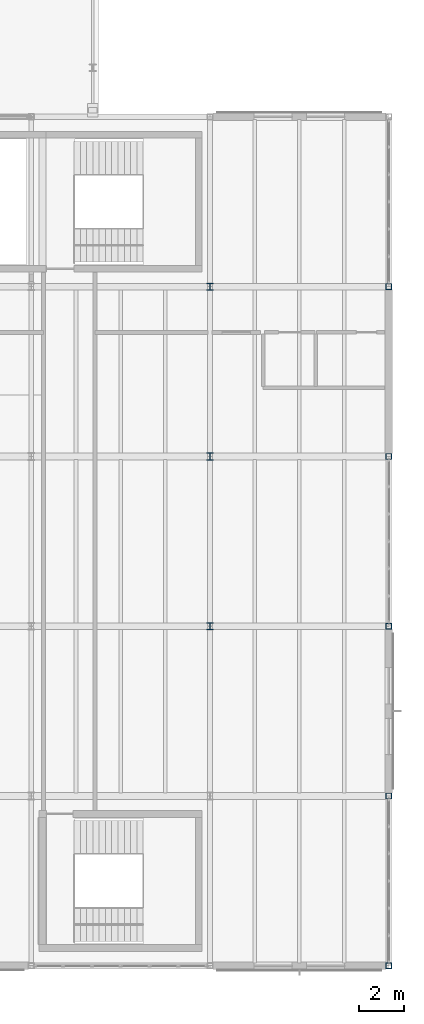
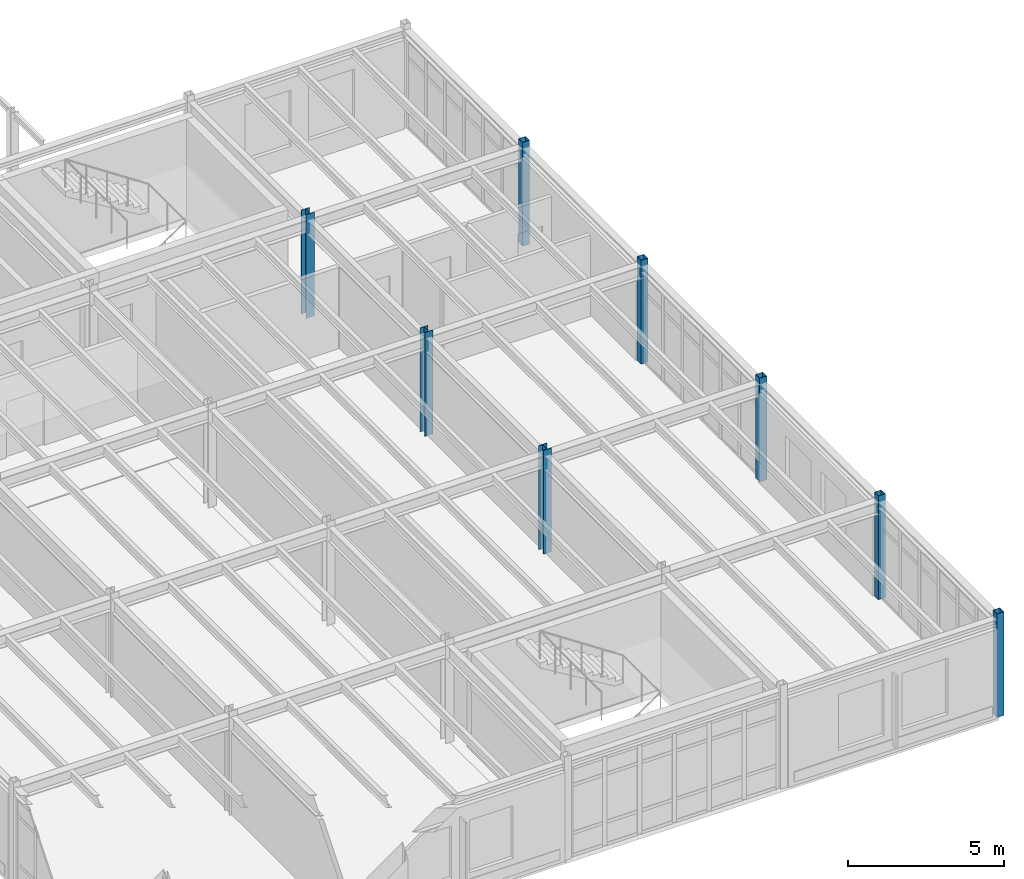
# One storey, part 18 of 189: 8 columns.
"""IFC4 building model written with IfcOpenShell, lengths in metres."""

from ifc_helpers import new_model, si_unit, direction, frame, origin, origin_2d, place, context, subcontext, project, spatial, hollow_rectangle, i_section, extrude, material, material_profile, profile_set, type_object, element, save


model = new_model("IFC4")

# Units and contexts
model_context = context("Model", 3, precision=1e-05, world=origin(), true_north=direction((0.0, 1.0)))
body_context = subcontext(model_context, "Body", "Model", "MODEL_VIEW")
ifc_project = project(units=[si_unit("LENGTHUNIT", "METRE"), si_unit("AREAUNIT", "SQUARE_METRE"), si_unit("VOLUMEUNIT", "CUBIC_METRE"), si_unit("PLANEANGLEUNIT", "RADIAN"), si_unit("MASSUNIT", "GRAM", prefix="KILO")], contexts=[model_context])

# Site, building, storey
site_placement = place(None, origin())
site = spatial("IfcSite", under=ifc_project, at=site_placement, CompositionType="ELEMENT")
building_placement = place(site_placement, origin())
building = spatial("IfcBuilding", under=site, at=building_placement, Name="Montecoro Central Library", CompositionType="ELEMENT")
storey_placement = place(building_placement, frame((0.0, 0.0, 9.179931640625)))
storey = spatial("IfcBuildingStorey", under=building, at=storey_placement, Name="L02", CompositionType="ELEMENT", Elevation=9.179931640625)

# Columns
ifc_material = material(Name="Steel S355", Category="steel")
ifc_material_profile_1 = material_profile(ifc_material, i_section(OverallWidth=0.300048828125, OverallDepth=0.320068359375, WebThickness=0.011474609375, FlangeThickness=0.0205078125, at=origin_2d()), Name="HEB 320")
ifc_profile_set_1 = profile_set([ifc_material_profile_1], Name="Steel S355")
column_type_1 = type_object("IfcColumnType", Name="COL-HEB320", PredefinedType="COLUMN", material=ifc_profile_set_1)
for number, where, z_axis, x_axis, name in (
    (1, (165.0, 20.199951171875, 0.0), (0.0, 0.0, 1.0), (1.0, 0.0, 0.0), "V6-L02-COL-21-C"),
    (2, (165.0, 27.800048828125, 0.0), (0.0, 0.0, 1.0), (1.0, 0.0, 0.0), "V6-L02-COL-21-D"),
    (3, (165.0, 35.39990234375, 0.0), (0.0, 0.0, 1.0), (1.0, 0.0, 0.0), "V6-L02-COL-21-E"),
):
    element("IfcColumn", number, at=place(storey_placement, frame(where, z_axis=z_axis, x_axis=x_axis)), inside=storey, type_object=column_type_1, Name=name, PredefinedType="COLUMN", context=body_context, shape_type="SweptSolid", body=[
        extrude(i_section(OverallWidth=0.300048828125, OverallDepth=0.320068359375, WebThickness=0.011474609375, FlangeThickness=0.0205078125, at=origin_2d()), origin(), (0.0, 0.0, 1.0), 4.05517578125),
    ])
ifc_material_profile_2 = material_profile(ifc_material, hollow_rectangle(XDim=0.260009765625, YDim=0.260009765625, WallThickness=0.012451171875, at=origin_2d()), Name="SHS 260x260x12.5")
ifc_profile_set_2 = profile_set([ifc_material_profile_2], Name="Steel S355")
column_type_2 = type_object("IfcColumnType", Name="COL-SHS260", PredefinedType="COLUMN", material=ifc_profile_set_2)
for number, where, z_axis, x_axis, name in (
    (4, (173.0, 5.0, 0.0), (0.0, 0.0, 1.0), (1.0, 0.0, 0.0), "V6-L02-COL-22-A"),
    (5, (173.0, 12.60009765625, 0.0), (0.0, 0.0, 1.0), (1.0, 0.0, 0.0), "V6-L02-COL-22-B"),
    (6, (173.0, 20.199951171875, 0.0), (0.0, 0.0, 1.0), (1.0, 0.0, 0.0), "V6-L02-COL-22-C"),
    (7, (173.0, 27.800048828125, 0.0), (0.0, 0.0, 1.0), (1.0, 0.0, 0.0), "V6-L02-COL-22-D"),
    (8, (173.0, 35.39990234375, 0.0), (0.0, 0.0, 1.0), (1.0, 0.0, 0.0), "V6-L02-COL-22-E"),
):
    element("IfcColumn", number, at=place(storey_placement, frame(where, z_axis=z_axis, x_axis=x_axis)), inside=storey, type_object=column_type_2, Name=name, PredefinedType="COLUMN", context=body_context, shape_type="SweptSolid", body=[
        extrude(hollow_rectangle(XDim=0.260009765625, YDim=0.260009765625, WallThickness=0.012451171875, at=origin_2d()), origin(), (0.0, 0.0, 1.0), 4.05517578125),
    ])

save(model, "model.ifc")
